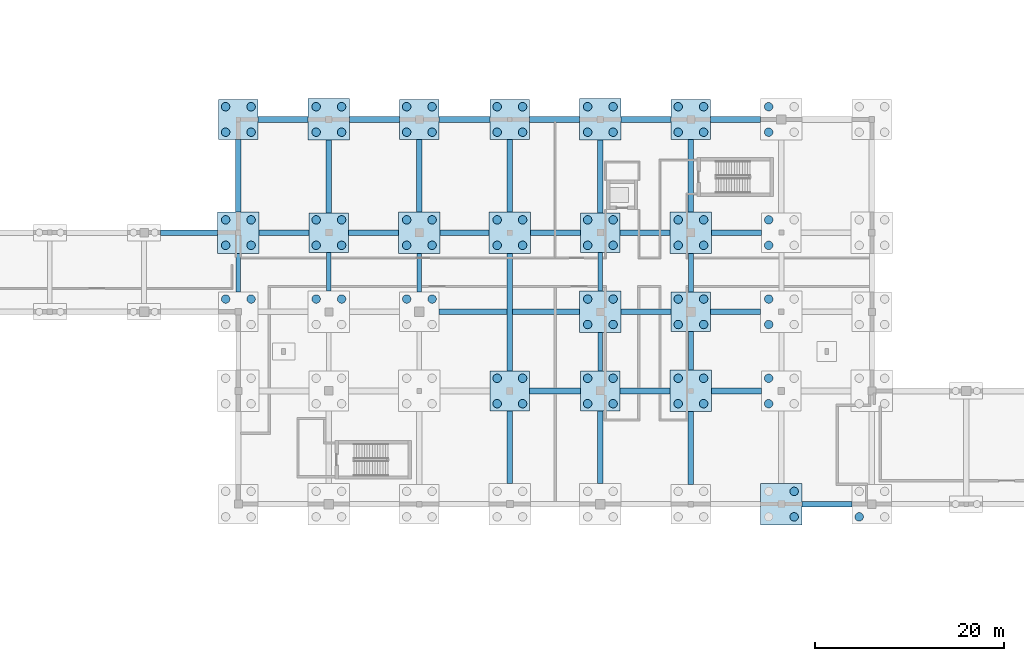
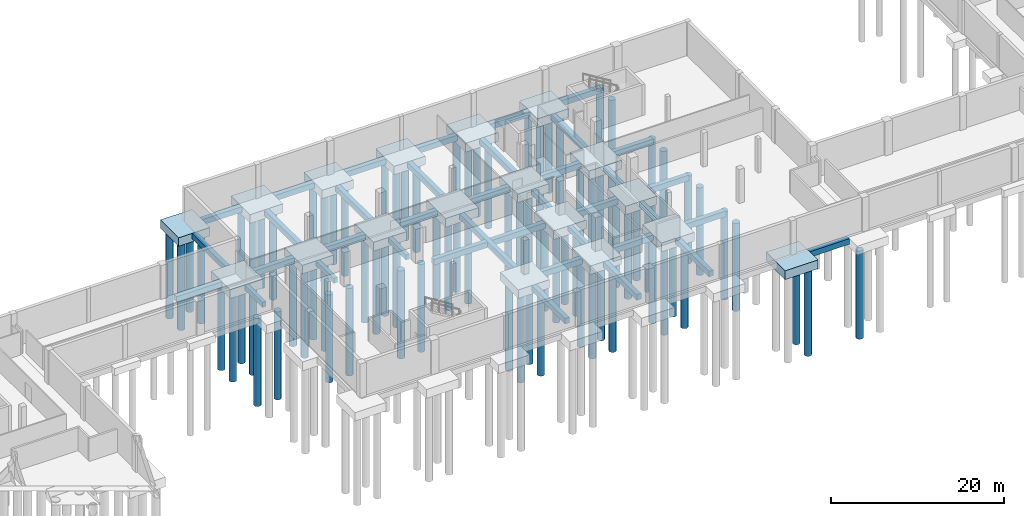
# One storey, part 3 of 28: 85 piles, 55 footings.
"""IFC4 building model written with IfcOpenShell, lengths in metres."""

from ifc_helpers import new_model, si_unit, direction, frame, origin, origin_2d, place, context, subcontext, project, spatial, rectangle, circle, extrude, material, layer, layer_set, material_profile, profile_set, type_object, element, save


model = new_model("IFC4")

# Units and contexts
model_context = context("Model", 3, precision=1e-05, world=origin(), true_north=direction((0.0, 1.0)))
body_context = subcontext(model_context, "Body", "Model", "MODEL_VIEW")
ifc_project = project(units=[si_unit("LENGTHUNIT", "METRE"), si_unit("AREAUNIT", "SQUARE_METRE"), si_unit("VOLUMEUNIT", "CUBIC_METRE"), si_unit("PLANEANGLEUNIT", "RADIAN"), si_unit("MASSUNIT", "GRAM", prefix="KILO")], contexts=[model_context])

# Site, building, storey
site_placement = place(None, origin())
site = spatial("IfcSite", under=ifc_project, at=site_placement, CompositionType="ELEMENT")
building_placement = place(site_placement, origin())
building = spatial("IfcBuilding", under=site, at=building_placement, Name="Zereglee Splitstone Museum", CompositionType="ELEMENT")
storey_placement = place(building_placement, frame((0.0, 0.0, -4.800048828125)))
storey = spatial("IfcBuildingStorey", under=building, at=storey_placement, Name="B1", CompositionType="ELEMENT", Elevation=-4.800048828125)

# Footings
ifc_material = material(Name="Concrete C40/50", Category="concrete")
footing_type_1 = type_object("IfcFootingType", Name="FB-03", PredefinedType="FOOTING_BEAM", material=ifc_material)
for number, where, z_axis, x_axis, name in (
    (1, (78.0, 34.14990234375, -1.14990234375), (0.0, 0.0, 1.0), (0.0, 1.0, 0.0), "Ground Tie Beam FBY-162"),
    (2, (87.60009765625, 34.25, -1.14990234375), (0.0, 0.0, 1.0), (0.0, 1.0, 0.0), "Ground Tie Beam FBY-166"),
    (3, (97.199951171875, 34.14990234375, -1.14990234375), (0.0, 0.0, 1.0), (0.0, 1.0, 0.0), "Ground Tie Beam FBY-170"),
    (4, (116.39990234375, 25.75, -1.14990234375), (0.0, 0.0, 1.0), (0.0, 1.0, 0.0), "Ground Tie Beam FBY-176"),
    (5, (116.39990234375, 34.25, -1.14990234375), (0.0, 0.0, 1.0), (0.0, 1.0, 0.0), "Ground Tie Beam FBY-177"),
    (6, (126.0, 25.85009765625, -1.14990234375), (0.0, 0.0, 1.0), (0.0, 1.0, 0.0), "Ground Tie Beam FBY-180"),
    (7, (126.0, 34.14990234375, -1.14990234375), (0.0, 0.0, 1.0), (0.0, 1.0, 0.0), "Ground Tie Beam FBY-181"),
):
    element("IfcFooting", number, at=place(storey_placement, frame(where, z_axis=z_axis, x_axis=x_axis)), inside=storey, type_object=footing_type_1, Name=name, PredefinedType="FOOTING_BEAM", context=body_context, shape_type="SweptSolid", body=[
        extrude(rectangle(XDim=4.10009765625, YDim=0.5, at=origin_2d()), origin(), (0.0, 0.0, 1.0), 0.699951171875),
    ])
footing_type_2 = type_object("IfcFootingType", Name="FB-02", PredefinedType="FOOTING_BEAM", material=ifc_material)
footing_1_placement = place(storey_placement, frame((140.449951171875, 9.60009765625, -1.25), z_axis=(0.0, 0.0, 1.0), x_axis=(1.0, 0.0, 0.0)))
element("IfcFooting", 8, at=footing_1_placement, inside=storey, type_object=footing_type_2, Name="Ground Tie Beam FBX-025", PredefinedType="FOOTING_BEAM", context=body_context, shape_type="SweptSolid", body=[
    extrude(rectangle(XDim=5.300048828125, YDim=0.60009765625, at=origin_2d()), origin(), (0.0, 0.0, 1.0), 0.800048828125),
])
footing_2_placement = place(storey_placement, frame((111.60009765625, 21.60009765625, -1.25), z_axis=(0.0, 0.0, 1.0), x_axis=(1.0, 0.0, 0.0)))
element("IfcFooting", 9, at=footing_2_placement, inside=storey, type_object=footing_type_2, Name="Ground Tie Beam FBX-043", PredefinedType="FOOTING_BEAM", context=body_context, shape_type="SweptSolid", body=[
    extrude(rectangle(XDim=5.39990234375, YDim=0.60009765625, at=origin_2d()), origin(), (0.0, 0.0, 1.0), 0.800048828125),
])
for number, where, z_axis, x_axis, name in (
    (10, (121.14990234375, 21.60009765625, -1.25), (0.0, 0.0, 1.0), (1.0, 0.0, 0.0), "Ground Tie Beam FBX-044"),
    (11, (130.85009765625, 21.60009765625, -1.25), (0.0, 0.0, 1.0), (1.0, 0.0, 0.0), "Ground Tie Beam FBX-045"),
):
    element("IfcFooting", number, at=place(storey_placement, frame(where, z_axis=z_axis, x_axis=x_axis)), inside=storey, type_object=footing_type_2, Name=name, PredefinedType="FOOTING_BEAM", context=body_context, shape_type="SweptSolid", body=[
        extrude(rectangle(XDim=5.300048828125, YDim=0.60009765625, at=origin_2d()), origin(), (0.0, 0.0, 1.0), 0.800048828125),
    ])
footing_3_placement = place(storey_placement, frame((106.75, 30.0, -1.25), z_axis=(0.0, 0.0, 1.0), x_axis=(1.0, 0.0, 0.0)))
element("IfcFooting", 12, at=footing_3_placement, inside=storey, type_object=footing_type_2, Name="Ground Tie Beam FBX-069", PredefinedType="FOOTING_BEAM", context=body_context, shape_type="SweptSolid", body=[
    extrude(rectangle(XDim=14.89990234375, YDim=0.60009765625, at=origin_2d()), origin(), (0.0, 0.0, 1.0), 0.800048828125),
])
for number, where, z_axis, x_axis, name in (
    (13, (121.25, 30.0, -1.25), (0.0, 0.0, 1.0), (1.0, 0.0, 0.0), "Ground Tie Beam FBX-070"),
    (14, (130.75, 30.0, -1.25), (0.0, 0.0, 1.0), (1.0, 0.0, 0.0), "Ground Tie Beam FBX-071"),
):
    element("IfcFooting", number, at=place(storey_placement, frame(where, z_axis=z_axis, x_axis=x_axis)), inside=storey, type_object=footing_type_2, Name=name, PredefinedType="FOOTING_BEAM", context=body_context, shape_type="SweptSolid", body=[
        extrude(rectangle(XDim=5.300048828125, YDim=0.60009765625, at=origin_2d()), origin(), (0.0, 0.0, 1.0), 0.800048828125),
    ])
footing_4_placement = place(storey_placement, frame((72.77490234375, 38.39990234375, -1.25), z_axis=(0.0, 0.0, 1.0), x_axis=(1.0, 0.0, 0.0)))
element("IfcFooting", 15, at=footing_4_placement, inside=storey, type_object=footing_type_2, Name="Ground Tie Beam FBX-095", PredefinedType="FOOTING_BEAM", context=body_context, shape_type="SweptSolid", body=[
    extrude(rectangle(XDim=6.050048828125, YDim=0.60009765625, at=origin_2d()), origin(), (0.0, 0.0, 1.0), 0.800048828125),
])
for number, where, z_axis, x_axis, name in (
    (16, (82.85009765625, 38.39990234375, -1.25), (0.0, 0.0, 1.0), (1.0, 0.0, 0.0), "Ground Tie Beam FBX-096"),
    (17, (92.35009765625, 38.39990234375, -1.25), (0.0, 0.0, 1.0), (1.0, 0.0, 0.0), "Ground Tie Beam FBX-097"),
):
    element("IfcFooting", number, at=place(storey_placement, frame(where, z_axis=z_axis, x_axis=x_axis)), inside=storey, type_object=footing_type_2, Name=name, PredefinedType="FOOTING_BEAM", context=body_context, shape_type="SweptSolid", body=[
        extrude(rectangle(XDim=5.300048828125, YDim=0.60009765625, at=origin_2d()), origin(), (0.0, 0.0, 1.0), 0.800048828125),
    ])
footing_5_placement = place(storey_placement, frame((102.0, 38.39990234375, -1.25), z_axis=(0.0, 0.0, 1.0), x_axis=(1.0, 0.0, 0.0)))
element("IfcFooting", 18, at=footing_5_placement, inside=storey, type_object=footing_type_2, Name="Ground Tie Beam FBX-098", PredefinedType="FOOTING_BEAM", context=body_context, shape_type="SweptSolid", body=[
    extrude(rectangle(XDim=5.199951171875, YDim=0.60009765625, at=origin_2d()), origin(), (0.0, 0.0, 1.0), 0.800048828125),
])
for number, where, z_axis, x_axis, name in (
    (19, (111.64990234375, 38.39990234375, -1.25), (0.0, 0.0, 1.0), (1.0, 0.0, 0.0), "Ground Tie Beam FBX-099"),
    (20, (121.14990234375, 38.39990234375, -1.25), (0.0, 0.0, 1.0), (1.0, 0.0, 0.0), "Ground Tie Beam FBX-100"),
    (21, (130.85009765625, 38.39990234375, -1.25), (0.0, 0.0, 1.0), (1.0, 0.0, 0.0), "Ground Tie Beam FBX-101"),
    (22, (82.75, 50.39990234375, -1.25), (0.0, 0.0, 1.0), (1.0, 0.0, 0.0), "Ground Tie Beam FBX-119"),
    (23, (92.449951171875, 50.39990234375, -1.25), (0.0, 0.0, 1.0), (1.0, 0.0, 0.0), "Ground Tie Beam FBX-120"),
):
    element("IfcFooting", number, at=place(storey_placement, frame(where, z_axis=z_axis, x_axis=x_axis)), inside=storey, type_object=footing_type_2, Name=name, PredefinedType="FOOTING_BEAM", context=body_context, shape_type="SweptSolid", body=[
        extrude(rectangle(XDim=5.300048828125, YDim=0.60009765625, at=origin_2d()), origin(), (0.0, 0.0, 1.0), 0.800048828125),
    ])
footing_6_placement = place(storey_placement, frame((102.0, 50.39990234375, -1.25), z_axis=(0.0, 0.0, 1.0), x_axis=(1.0, 0.0, 0.0)))
element("IfcFooting", 24, at=footing_6_placement, inside=storey, type_object=footing_type_2, Name="Ground Tie Beam FBX-121", PredefinedType="FOOTING_BEAM", context=body_context, shape_type="SweptSolid", body=[
    extrude(rectangle(XDim=5.39990234375, YDim=0.60009765625, at=origin_2d()), origin(), (0.0, 0.0, 1.0), 0.800048828125),
])
for number, where, z_axis, x_axis, name in (
    (25, (111.550048828125, 50.39990234375, -1.25), (0.0, 0.0, 1.0), (1.0, 0.0, 0.0), "Ground Tie Beam FBX-122"),
    (26, (121.25, 50.39990234375, -1.25), (0.0, 0.0, 1.0), (1.0, 0.0, 0.0), "Ground Tie Beam FBX-123"),
    (27, (130.75, 50.39990234375, -1.25), (0.0, 0.0, 1.0), (1.0, 0.0, 0.0), "Ground Tie Beam FBX-124"),
):
    element("IfcFooting", number, at=place(storey_placement, frame(where, z_axis=z_axis, x_axis=x_axis)), inside=storey, type_object=footing_type_2, Name=name, PredefinedType="FOOTING_BEAM", context=body_context, shape_type="SweptSolid", body=[
        extrude(rectangle(XDim=5.300048828125, YDim=0.60009765625, at=origin_2d()), origin(), (0.0, 0.0, 1.0), 0.800048828125),
    ])
for number, where, z_axis, x_axis, name in (
    (28, (78.0, 44.449951171875, -1.25), (0.0, 0.0, 1.0), (0.0, 1.0, 0.0), "Ground Tie Beam FBY-163"),
    (29, (87.60009765625, 44.35009765625, -1.25), (0.0, 0.0, 1.0), (0.0, 1.0, 0.0), "Ground Tie Beam FBY-167"),
    (30, (97.199951171875, 44.449951171875, -1.25), (0.0, 0.0, 1.0), (0.0, 1.0, 0.0), "Ground Tie Beam FBY-171"),
    (31, (106.800048828125, 15.64990234375, -1.25), (0.0, 0.0, 1.0), (0.0, 1.0, 0.0), "Ground Tie Beam FBY-172"),
):
    element("IfcFooting", number, at=place(storey_placement, frame(where, z_axis=z_axis, x_axis=x_axis)), inside=storey, type_object=footing_type_2, Name=name, PredefinedType="FOOTING_BEAM", context=body_context, shape_type="SweptSolid", body=[
        extrude(rectangle(XDim=7.699951171875, YDim=0.60009765625, at=origin_2d()), origin(), (0.0, 0.0, 1.0), 0.800048828125),
    ])
footing_7_placement = place(storey_placement, frame((106.800048828125, 29.949951171875, -1.25), z_axis=(0.0, 0.0, 1.0), x_axis=(0.0, 1.0, 0.0)))
element("IfcFooting", 32, at=footing_7_placement, inside=storey, type_object=footing_type_2, Name="Ground Tie Beam FBY-173", PredefinedType="FOOTING_BEAM", context=body_context, shape_type="SweptSolid", body=[
    extrude(rectangle(XDim=12.5, YDim=0.60009765625, at=origin_2d()), origin(), (0.0, 0.0, 1.0), 0.800048828125),
])
for number, where, z_axis, x_axis, name in (
    (33, (106.800048828125, 44.449951171875, -1.25), (0.0, 0.0, 1.0), (0.0, 1.0, 0.0), "Ground Tie Beam FBY-174"),
    (34, (116.39990234375, 15.64990234375, -1.25), (0.0, 0.0, 1.0), (0.0, 1.0, 0.0), "Ground Tie Beam FBY-175"),
    (35, (116.39990234375, 44.35009765625, -1.25), (0.0, 0.0, 1.0), (0.0, 1.0, 0.0), "Ground Tie Beam FBY-178"),
    (36, (126.0, 15.550048828125, -1.25), (0.0, 0.0, 1.0), (0.0, 1.0, 0.0), "Ground Tie Beam FBY-179"),
    (37, (126.0, 44.449951171875, -1.25), (0.0, 0.0, 1.0), (0.0, 1.0, 0.0), "Ground Tie Beam FBY-182"),
):
    element("IfcFooting", number, at=place(storey_placement, frame(where, z_axis=z_axis, x_axis=x_axis)), inside=storey, type_object=footing_type_2, Name=name, PredefinedType="FOOTING_BEAM", context=body_context, shape_type="SweptSolid", body=[
        extrude(rectangle(XDim=7.699951171875, YDim=0.60009765625, at=origin_2d()), origin(), (0.0, 0.0, 1.0), 0.800048828125),
    ])
ifc_layer_1 = layer(ifc_material, 1.199951171875)
ifc_layer_set_1 = layer_set([ifc_layer_1], Name="Concrete C40/50")
footing_type_3 = type_object("IfcFootingType", Name="PC-05", PredefinedType="PILE_CAP", material=ifc_layer_set_1)
for number, where, z_axis, x_axis, name in (
    (38, (78.0, 50.39990234375, -1.64990234375), (0.0, 0.0, 1.0), (1.0, 0.0, 0.0), "Pile Cap at (78.0, 50.4)"),
    (39, (87.60009765625, 38.39990234375, -1.64990234375), (0.0, 0.0, 1.0), (1.0, 0.0, 0.0), "Pile Cap at (87.6, 38.4)"),
    (40, (97.199951171875, 50.39990234375, -1.64990234375), (0.0, 0.0, 1.0), (1.0, 0.0, 0.0), "Pile Cap at (97.2, 50.4)"),
    (41, (106.800048828125, 21.60009765625, -1.64990234375), (0.0, 0.0, 1.0), (1.0, 0.0, 0.0), "Pile Cap at (106.8, 21.6)"),
    (42, (106.800048828125, 50.39990234375, -1.64990234375), (0.0, 0.0, 1.0), (1.0, 0.0, 0.0), "Pile Cap at (106.8, 50.4)"),
    (43, (116.39990234375, 21.60009765625, -1.64990234375), (0.0, 0.0, 1.0), (1.0, 0.0, 0.0), "Pile Cap at (116.4, 21.6)"),
    (44, (116.39990234375, 38.39990234375, -1.64990234375), (0.0, 0.0, 1.0), (1.0, 0.0, 0.0), "Pile Cap at (116.4, 38.4)"),
    (45, (126.0, 30.0, -1.64990234375), (0.0, 0.0, 1.0), (1.0, 0.0, 0.0), "Pile Cap at (126.0, 30.0)"),
    (46, (126.0, 50.39990234375, -1.64990234375), (0.0, 0.0, 1.0), (1.0, 0.0, 0.0), "Pile Cap at (126.0, 50.4)"),
):
    element("IfcFooting", number, at=place(storey_placement, frame(where, z_axis=z_axis, x_axis=x_axis)), inside=storey, type_object=footing_type_3, Name=name, PredefinedType="PILE_CAP", context=body_context, shape_type="SweptSolid", body=[
        extrude(rectangle(XDim=4.199951171875, YDim=4.199951171875, at=origin_2d()), origin(), (0.0, 0.0, 1.0), 1.199951171875),
    ])
ifc_layer_2 = layer(ifc_material, 1.25)
ifc_layer_set_2 = layer_set([ifc_layer_2], Name="Concrete C40/50")
footing_type_4 = type_object("IfcFootingType", Name="PC-04", PredefinedType="PILE_CAP", material=ifc_layer_set_2)
for number, where, z_axis, x_axis, name in (
    (47, (78.0, 38.39990234375, -1.699951171875), (0.0, 0.0, 1.0), (1.0, 0.0, 0.0), "Pile Cap at (78.0, 38.4)"),
    (48, (87.60009765625, 50.39990234375, -1.699951171875), (0.0, 0.0, 1.0), (1.0, 0.0, 0.0), "Pile Cap at (87.6, 50.4)"),
    (49, (97.199951171875, 38.39990234375, -1.699951171875), (0.0, 0.0, 1.0), (1.0, 0.0, 0.0), "Pile Cap at (97.2, 38.4)"),
    (50, (106.800048828125, 38.39990234375, -1.699951171875), (0.0, 0.0, 1.0), (1.0, 0.0, 0.0), "Pile Cap at (106.8, 38.4)"),
    (51, (116.39990234375, 30.0, -1.699951171875), (0.0, 0.0, 1.0), (1.0, 0.0, 0.0), "Pile Cap at (116.4, 30.0)"),
    (52, (116.39990234375, 50.39990234375, -1.699951171875), (0.0, 0.0, 1.0), (1.0, 0.0, 0.0), "Pile Cap at (116.4, 50.4)"),
    (53, (126.0, 21.60009765625, -1.699951171875), (0.0, 0.0, 1.0), (1.0, 0.0, 0.0), "Pile Cap at (126.0, 21.6)"),
    (54, (126.0, 38.39990234375, -1.699951171875), (0.0, 0.0, 1.0), (1.0, 0.0, 0.0), "Pile Cap at (126.0, 38.4)"),
    (55, (135.60009765625, 9.60009765625, -1.699951171875), (0.0, 0.0, 1.0), (1.0, 0.0, 0.0), "Pile Cap at (135.6, 9.6)"),
):
    element("IfcFooting", number, at=place(storey_placement, frame(where, z_axis=z_axis, x_axis=x_axis)), inside=storey, type_object=footing_type_4, Name=name, PredefinedType="PILE_CAP", context=body_context, shape_type="SweptSolid", body=[
        extrude(rectangle(XDim=4.39990234375, YDim=4.39990234375, at=origin_2d()), origin(), (0.0, 0.0, 1.0), 1.25),
    ])

# Piles
ifc_material_profile = material_profile(ifc_material, circle(Radius=0.449951171875, at=origin_2d()), Name="PILE D900")
ifc_profile_set = profile_set([ifc_material_profile], Name="Concrete C40/50")
pile_type = type_object("IfcPileType", Name="PL-D09", PredefinedType="BORED", material=ifc_profile_set)
for number, where, z_axis, x_axis, name in (
    (56, (76.64990234375, 31.35009765625, -1.550048828125), (0.0, 0.0, -1.0), (1.0, 0.0, 0.0), "Bored Pile 780-300-3"),
    (57, (79.35009765625, 31.35009765625, -1.550048828125), (0.0, 0.0, -1.0), (1.0, 0.0, 0.0), "Bored Pile 780-300-4"),
):
    element("IfcPile", number, at=place(storey_placement, frame(where, z_axis=z_axis, x_axis=x_axis)), inside=storey, type_object=pile_type, Name=name, PredefinedType="BORED", context=body_context, shape_type="SweptSolid", body=[
        extrude(circle(Radius=0.449951171875, at=origin_2d()), origin(), (0.0, 0.0, 1.0), 12.449951171875),
    ])
for number, where, z_axis, x_axis, name in (
    (58, (76.64990234375, 37.050048828125, -1.599853515625), (0.0, 0.0, -1.0), (1.0, 0.0, 0.0), "Bored Pile 780-384-1"),
    (59, (79.35009765625, 37.050048828125, -1.599853515625), (0.0, 0.0, -1.0), (1.0, 0.0, 0.0), "Bored Pile 780-384-2"),
    (60, (76.64990234375, 39.75, -1.599853515625), (0.0, 0.0, -1.0), (1.0, 0.0, 0.0), "Bored Pile 780-384-3"),
    (61, (79.35009765625, 39.75, -1.599853515625), (0.0, 0.0, -1.0), (1.0, 0.0, 0.0), "Bored Pile 780-384-4"),
):
    element("IfcPile", number, at=place(storey_placement, frame(where, z_axis=z_axis, x_axis=x_axis)), inside=storey, type_object=pile_type, Name=name, PredefinedType="BORED", context=body_context, shape_type="SweptSolid", body=[
        extrude(circle(Radius=0.449951171875, at=origin_2d()), origin(), (0.0, 0.0, 1.0), 12.39990234375),
    ])
for number, where, z_axis, x_axis, name in (
    (62, (76.64990234375, 49.050048828125, -1.550048828125), (0.0, 0.0, -1.0), (1.0, 0.0, 0.0), "Bored Pile 780-504-1"),
    (63, (79.35009765625, 49.050048828125, -1.550048828125), (0.0, 0.0, -1.0), (1.0, 0.0, 0.0), "Bored Pile 780-504-2"),
    (64, (76.64990234375, 51.75, -1.550048828125), (0.0, 0.0, -1.0), (1.0, 0.0, 0.0), "Bored Pile 780-504-3"),
    (65, (79.35009765625, 51.75, -1.550048828125), (0.0, 0.0, -1.0), (1.0, 0.0, 0.0), "Bored Pile 780-504-4"),
):
    element("IfcPile", number, at=place(storey_placement, frame(where, z_axis=z_axis, x_axis=x_axis)), inside=storey, type_object=pile_type, Name=name, PredefinedType="BORED", context=body_context, shape_type="SweptSolid", body=[
        extrude(circle(Radius=0.449951171875, at=origin_2d()), origin(), (0.0, 0.0, 1.0), 12.449951171875),
    ])
for number, where, z_axis, x_axis, name in (
    (66, (86.25, 31.35009765625, -1.599853515625), (0.0, 0.0, -1.0), (1.0, 0.0, 0.0), "Bored Pile 876-300-3"),
    (67, (88.949951171875, 31.35009765625, -1.599853515625), (0.0, 0.0, -1.0), (1.0, 0.0, 0.0), "Bored Pile 876-300-4"),
):
    element("IfcPile", number, at=place(storey_placement, frame(where, z_axis=z_axis, x_axis=x_axis)), inside=storey, type_object=pile_type, Name=name, PredefinedType="BORED", context=body_context, shape_type="SweptSolid", body=[
        extrude(circle(Radius=0.449951171875, at=origin_2d()), origin(), (0.0, 0.0, 1.0), 12.39990234375),
    ])
for number, where, z_axis, x_axis, name in (
    (68, (86.25, 37.050048828125, -1.550048828125), (0.0, 0.0, -1.0), (1.0, 0.0, 0.0), "Bored Pile 876-384-1"),
    (69, (88.949951171875, 37.050048828125, -1.550048828125), (0.0, 0.0, -1.0), (1.0, 0.0, 0.0), "Bored Pile 876-384-2"),
    (70, (86.25, 39.75, -1.550048828125), (0.0, 0.0, -1.0), (1.0, 0.0, 0.0), "Bored Pile 876-384-3"),
    (71, (88.949951171875, 39.75, -1.550048828125), (0.0, 0.0, -1.0), (1.0, 0.0, 0.0), "Bored Pile 876-384-4"),
):
    element("IfcPile", number, at=place(storey_placement, frame(where, z_axis=z_axis, x_axis=x_axis)), inside=storey, type_object=pile_type, Name=name, PredefinedType="BORED", context=body_context, shape_type="SweptSolid", body=[
        extrude(circle(Radius=0.449951171875, at=origin_2d()), origin(), (0.0, 0.0, 1.0), 12.449951171875),
    ])
for number, where, z_axis, x_axis, name in (
    (72, (86.25, 49.050048828125, -1.599853515625), (0.0, 0.0, -1.0), (1.0, 0.0, 0.0), "Bored Pile 876-504-1"),
    (73, (88.949951171875, 49.050048828125, -1.599853515625), (0.0, 0.0, -1.0), (1.0, 0.0, 0.0), "Bored Pile 876-504-2"),
    (74, (86.25, 51.75, -1.599853515625), (0.0, 0.0, -1.0), (1.0, 0.0, 0.0), "Bored Pile 876-504-3"),
    (75, (88.949951171875, 51.75, -1.599853515625), (0.0, 0.0, -1.0), (1.0, 0.0, 0.0), "Bored Pile 876-504-4"),
):
    element("IfcPile", number, at=place(storey_placement, frame(where, z_axis=z_axis, x_axis=x_axis)), inside=storey, type_object=pile_type, Name=name, PredefinedType="BORED", context=body_context, shape_type="SweptSolid", body=[
        extrude(circle(Radius=0.449951171875, at=origin_2d()), origin(), (0.0, 0.0, 1.0), 12.39990234375),
    ])
for number, where, z_axis, x_axis, name in (
    (76, (95.85009765625, 31.35009765625, -1.550048828125), (0.0, 0.0, -1.0), (1.0, 0.0, 0.0), "Bored Pile 972-300-3"),
    (77, (98.550048828125, 31.35009765625, -1.550048828125), (0.0, 0.0, -1.0), (1.0, 0.0, 0.0), "Bored Pile 972-300-4"),
):
    element("IfcPile", number, at=place(storey_placement, frame(where, z_axis=z_axis, x_axis=x_axis)), inside=storey, type_object=pile_type, Name=name, PredefinedType="BORED", context=body_context, shape_type="SweptSolid", body=[
        extrude(circle(Radius=0.449951171875, at=origin_2d()), origin(), (0.0, 0.0, 1.0), 12.449951171875),
    ])
for number, where, z_axis, x_axis, name in (
    (78, (95.85009765625, 37.050048828125, -1.599853515625), (0.0, 0.0, -1.0), (1.0, 0.0, 0.0), "Bored Pile 972-384-1"),
    (79, (98.550048828125, 37.050048828125, -1.599853515625), (0.0, 0.0, -1.0), (1.0, 0.0, 0.0), "Bored Pile 972-384-2"),
    (80, (95.85009765625, 39.75, -1.599853515625), (0.0, 0.0, -1.0), (1.0, 0.0, 0.0), "Bored Pile 972-384-3"),
    (81, (98.550048828125, 39.75, -1.599853515625), (0.0, 0.0, -1.0), (1.0, 0.0, 0.0), "Bored Pile 972-384-4"),
):
    element("IfcPile", number, at=place(storey_placement, frame(where, z_axis=z_axis, x_axis=x_axis)), inside=storey, type_object=pile_type, Name=name, PredefinedType="BORED", context=body_context, shape_type="SweptSolid", body=[
        extrude(circle(Radius=0.449951171875, at=origin_2d()), origin(), (0.0, 0.0, 1.0), 12.39990234375),
    ])
for number, where, z_axis, x_axis, name in (
    (82, (95.85009765625, 49.050048828125, -1.550048828125), (0.0, 0.0, -1.0), (1.0, 0.0, 0.0), "Bored Pile 972-504-1"),
    (83, (98.550048828125, 49.050048828125, -1.550048828125), (0.0, 0.0, -1.0), (1.0, 0.0, 0.0), "Bored Pile 972-504-2"),
    (84, (95.85009765625, 51.75, -1.550048828125), (0.0, 0.0, -1.0), (1.0, 0.0, 0.0), "Bored Pile 972-504-3"),
    (85, (98.550048828125, 51.75, -1.550048828125), (0.0, 0.0, -1.0), (1.0, 0.0, 0.0), "Bored Pile 972-504-4"),
    (86, (105.449951171875, 20.25, -1.550048828125), (0.0, 0.0, -1.0), (1.0, 0.0, 0.0), "Bored Pile 1068-216-1"),
    (87, (108.14990234375, 20.25, -1.550048828125), (0.0, 0.0, -1.0), (1.0, 0.0, 0.0), "Bored Pile 1068-216-2"),
    (88, (105.449951171875, 22.949951171875, -1.550048828125), (0.0, 0.0, -1.0), (1.0, 0.0, 0.0), "Bored Pile 1068-216-3"),
    (89, (108.14990234375, 22.949951171875, -1.550048828125), (0.0, 0.0, -1.0), (1.0, 0.0, 0.0), "Bored Pile 1068-216-4"),
):
    element("IfcPile", number, at=place(storey_placement, frame(where, z_axis=z_axis, x_axis=x_axis)), inside=storey, type_object=pile_type, Name=name, PredefinedType="BORED", context=body_context, shape_type="SweptSolid", body=[
        extrude(circle(Radius=0.449951171875, at=origin_2d()), origin(), (0.0, 0.0, 1.0), 12.449951171875),
    ])
for number, where, z_axis, x_axis, name in (
    (90, (105.449951171875, 37.050048828125, -1.599853515625), (0.0, 0.0, -1.0), (1.0, 0.0, 0.0), "Bored Pile 1068-384-1"),
    (91, (108.14990234375, 37.050048828125, -1.599853515625), (0.0, 0.0, -1.0), (1.0, 0.0, 0.0), "Bored Pile 1068-384-2"),
    (92, (105.449951171875, 39.75, -1.599853515625), (0.0, 0.0, -1.0), (1.0, 0.0, 0.0), "Bored Pile 1068-384-3"),
    (93, (108.14990234375, 39.75, -1.599853515625), (0.0, 0.0, -1.0), (1.0, 0.0, 0.0), "Bored Pile 1068-384-4"),
):
    element("IfcPile", number, at=place(storey_placement, frame(where, z_axis=z_axis, x_axis=x_axis)), inside=storey, type_object=pile_type, Name=name, PredefinedType="BORED", context=body_context, shape_type="SweptSolid", body=[
        extrude(circle(Radius=0.449951171875, at=origin_2d()), origin(), (0.0, 0.0, 1.0), 12.39990234375),
    ])
for number, where, z_axis, x_axis, name in (
    (94, (105.449951171875, 49.050048828125, -1.550048828125), (0.0, 0.0, -1.0), (1.0, 0.0, 0.0), "Bored Pile 1068-504-1"),
    (95, (108.14990234375, 49.050048828125, -1.550048828125), (0.0, 0.0, -1.0), (1.0, 0.0, 0.0), "Bored Pile 1068-504-2"),
    (96, (105.449951171875, 51.75, -1.550048828125), (0.0, 0.0, -1.0), (1.0, 0.0, 0.0), "Bored Pile 1068-504-3"),
    (97, (108.14990234375, 51.75, -1.550048828125), (0.0, 0.0, -1.0), (1.0, 0.0, 0.0), "Bored Pile 1068-504-4"),
    (98, (115.050048828125, 20.25, -1.550048828125), (0.0, 0.0, -1.0), (1.0, 0.0, 0.0), "Bored Pile 1164-216-1"),
    (99, (117.75, 20.25, -1.550048828125), (0.0, 0.0, -1.0), (1.0, 0.0, 0.0), "Bored Pile 1164-216-2"),
    (100, (115.050048828125, 22.949951171875, -1.550048828125), (0.0, 0.0, -1.0), (1.0, 0.0, 0.0), "Bored Pile 1164-216-3"),
    (101, (117.75, 22.949951171875, -1.550048828125), (0.0, 0.0, -1.0), (1.0, 0.0, 0.0), "Bored Pile 1164-216-4"),
):
    element("IfcPile", number, at=place(storey_placement, frame(where, z_axis=z_axis, x_axis=x_axis)), inside=storey, type_object=pile_type, Name=name, PredefinedType="BORED", context=body_context, shape_type="SweptSolid", body=[
        extrude(circle(Radius=0.449951171875, at=origin_2d()), origin(), (0.0, 0.0, 1.0), 12.449951171875),
    ])
for number, where, z_axis, x_axis, name in (
    (102, (115.050048828125, 28.64990234375, -1.599853515625), (0.0, 0.0, -1.0), (1.0, 0.0, 0.0), "Bored Pile 1164-300-1"),
    (103, (117.75, 28.64990234375, -1.599853515625), (0.0, 0.0, -1.0), (1.0, 0.0, 0.0), "Bored Pile 1164-300-2"),
    (104, (115.050048828125, 31.35009765625, -1.599853515625), (0.0, 0.0, -1.0), (1.0, 0.0, 0.0), "Bored Pile 1164-300-3"),
    (105, (117.75, 31.35009765625, -1.599853515625), (0.0, 0.0, -1.0), (1.0, 0.0, 0.0), "Bored Pile 1164-300-4"),
):
    element("IfcPile", number, at=place(storey_placement, frame(where, z_axis=z_axis, x_axis=x_axis)), inside=storey, type_object=pile_type, Name=name, PredefinedType="BORED", context=body_context, shape_type="SweptSolid", body=[
        extrude(circle(Radius=0.449951171875, at=origin_2d()), origin(), (0.0, 0.0, 1.0), 12.39990234375),
    ])
for number, where, z_axis, x_axis, name in (
    (106, (115.050048828125, 37.050048828125, -1.550048828125), (0.0, 0.0, -1.0), (1.0, 0.0, 0.0), "Bored Pile 1164-384-1"),
    (107, (117.75, 37.050048828125, -1.550048828125), (0.0, 0.0, -1.0), (1.0, 0.0, 0.0), "Bored Pile 1164-384-2"),
    (108, (115.050048828125, 39.75, -1.550048828125), (0.0, 0.0, -1.0), (1.0, 0.0, 0.0), "Bored Pile 1164-384-3"),
    (109, (117.75, 39.75, -1.550048828125), (0.0, 0.0, -1.0), (1.0, 0.0, 0.0), "Bored Pile 1164-384-4"),
):
    element("IfcPile", number, at=place(storey_placement, frame(where, z_axis=z_axis, x_axis=x_axis)), inside=storey, type_object=pile_type, Name=name, PredefinedType="BORED", context=body_context, shape_type="SweptSolid", body=[
        extrude(circle(Radius=0.449951171875, at=origin_2d()), origin(), (0.0, 0.0, 1.0), 12.449951171875),
    ])
for number, where, z_axis, x_axis, name in (
    (110, (115.050048828125, 49.050048828125, -1.599853515625), (0.0, 0.0, -1.0), (1.0, 0.0, 0.0), "Bored Pile 1164-504-1"),
    (111, (117.75, 49.050048828125, -1.599853515625), (0.0, 0.0, -1.0), (1.0, 0.0, 0.0), "Bored Pile 1164-504-2"),
    (112, (115.050048828125, 51.75, -1.599853515625), (0.0, 0.0, -1.0), (1.0, 0.0, 0.0), "Bored Pile 1164-504-3"),
    (113, (117.75, 51.75, -1.599853515625), (0.0, 0.0, -1.0), (1.0, 0.0, 0.0), "Bored Pile 1164-504-4"),
    (114, (124.64990234375, 20.25, -1.599853515625), (0.0, 0.0, -1.0), (1.0, 0.0, 0.0), "Bored Pile 1260-216-1"),
    (115, (127.35009765625, 20.25, -1.599853515625), (0.0, 0.0, -1.0), (1.0, 0.0, 0.0), "Bored Pile 1260-216-2"),
    (116, (124.64990234375, 22.949951171875, -1.599853515625), (0.0, 0.0, -1.0), (1.0, 0.0, 0.0), "Bored Pile 1260-216-3"),
    (117, (127.35009765625, 22.949951171875, -1.599853515625), (0.0, 0.0, -1.0), (1.0, 0.0, 0.0), "Bored Pile 1260-216-4"),
):
    element("IfcPile", number, at=place(storey_placement, frame(where, z_axis=z_axis, x_axis=x_axis)), inside=storey, type_object=pile_type, Name=name, PredefinedType="BORED", context=body_context, shape_type="SweptSolid", body=[
        extrude(circle(Radius=0.449951171875, at=origin_2d()), origin(), (0.0, 0.0, 1.0), 12.39990234375),
    ])
for number, where, z_axis, x_axis, name in (
    (118, (124.64990234375, 28.64990234375, -1.550048828125), (0.0, 0.0, -1.0), (1.0, 0.0, 0.0), "Bored Pile 1260-300-1"),
    (119, (127.35009765625, 28.64990234375, -1.550048828125), (0.0, 0.0, -1.0), (1.0, 0.0, 0.0), "Bored Pile 1260-300-2"),
    (120, (124.64990234375, 31.35009765625, -1.550048828125), (0.0, 0.0, -1.0), (1.0, 0.0, 0.0), "Bored Pile 1260-300-3"),
    (121, (127.35009765625, 31.35009765625, -1.550048828125), (0.0, 0.0, -1.0), (1.0, 0.0, 0.0), "Bored Pile 1260-300-4"),
):
    element("IfcPile", number, at=place(storey_placement, frame(where, z_axis=z_axis, x_axis=x_axis)), inside=storey, type_object=pile_type, Name=name, PredefinedType="BORED", context=body_context, shape_type="SweptSolid", body=[
        extrude(circle(Radius=0.449951171875, at=origin_2d()), origin(), (0.0, 0.0, 1.0), 12.449951171875),
    ])
for number, where, z_axis, x_axis, name in (
    (122, (124.64990234375, 37.050048828125, -1.599853515625), (0.0, 0.0, -1.0), (1.0, 0.0, 0.0), "Bored Pile 1260-384-1"),
    (123, (127.35009765625, 37.050048828125, -1.599853515625), (0.0, 0.0, -1.0), (1.0, 0.0, 0.0), "Bored Pile 1260-384-2"),
    (124, (124.64990234375, 39.75, -1.599853515625), (0.0, 0.0, -1.0), (1.0, 0.0, 0.0), "Bored Pile 1260-384-3"),
    (125, (127.35009765625, 39.75, -1.599853515625), (0.0, 0.0, -1.0), (1.0, 0.0, 0.0), "Bored Pile 1260-384-4"),
):
    element("IfcPile", number, at=place(storey_placement, frame(where, z_axis=z_axis, x_axis=x_axis)), inside=storey, type_object=pile_type, Name=name, PredefinedType="BORED", context=body_context, shape_type="SweptSolid", body=[
        extrude(circle(Radius=0.449951171875, at=origin_2d()), origin(), (0.0, 0.0, 1.0), 12.39990234375),
    ])
for number, where, z_axis, x_axis, name in (
    (126, (124.64990234375, 49.050048828125, -1.550048828125), (0.0, 0.0, -1.0), (1.0, 0.0, 0.0), "Bored Pile 1260-504-1"),
    (127, (127.35009765625, 49.050048828125, -1.550048828125), (0.0, 0.0, -1.0), (1.0, 0.0, 0.0), "Bored Pile 1260-504-2"),
    (128, (124.64990234375, 51.75, -1.550048828125), (0.0, 0.0, -1.0), (1.0, 0.0, 0.0), "Bored Pile 1260-504-3"),
    (129, (127.35009765625, 51.75, -1.550048828125), (0.0, 0.0, -1.0), (1.0, 0.0, 0.0), "Bored Pile 1260-504-4"),
):
    element("IfcPile", number, at=place(storey_placement, frame(where, z_axis=z_axis, x_axis=x_axis)), inside=storey, type_object=pile_type, Name=name, PredefinedType="BORED", context=body_context, shape_type="SweptSolid", body=[
        extrude(circle(Radius=0.449951171875, at=origin_2d()), origin(), (0.0, 0.0, 1.0), 12.449951171875),
    ])
for number, where, z_axis, x_axis, name in (
    (130, (136.949951171875, 8.25, -1.599853515625), (0.0, 0.0, -1.0), (1.0, 0.0, 0.0), "Bored Pile 1356-96-2"),
    (131, (136.949951171875, 10.949951171875, -1.599853515625), (0.0, 0.0, -1.0), (1.0, 0.0, 0.0), "Bored Pile 1356-96-4"),
):
    element("IfcPile", number, at=place(storey_placement, frame(where, z_axis=z_axis, x_axis=x_axis)), inside=storey, type_object=pile_type, Name=name, PredefinedType="BORED", context=body_context, shape_type="SweptSolid", body=[
        extrude(circle(Radius=0.449951171875, at=origin_2d()), origin(), (0.0, 0.0, 1.0), 12.39990234375),
    ])
for number, where, z_axis, x_axis, name in (
    (132, (134.25, 20.25, -1.550048828125), (0.0, 0.0, -1.0), (1.0, 0.0, 0.0), "Bored Pile 1356-216-1"),
    (133, (134.25, 22.949951171875, -1.550048828125), (0.0, 0.0, -1.0), (1.0, 0.0, 0.0), "Bored Pile 1356-216-3"),
):
    element("IfcPile", number, at=place(storey_placement, frame(where, z_axis=z_axis, x_axis=x_axis)), inside=storey, type_object=pile_type, Name=name, PredefinedType="BORED", context=body_context, shape_type="SweptSolid", body=[
        extrude(circle(Radius=0.449951171875, at=origin_2d()), origin(), (0.0, 0.0, 1.0), 12.449951171875),
    ])
for number, where, z_axis, x_axis, name in (
    (134, (134.25, 28.64990234375, -1.599853515625), (0.0, 0.0, -1.0), (1.0, 0.0, 0.0), "Bored Pile 1356-300-1"),
    (135, (134.25, 31.35009765625, -1.599853515625), (0.0, 0.0, -1.0), (1.0, 0.0, 0.0), "Bored Pile 1356-300-3"),
):
    element("IfcPile", number, at=place(storey_placement, frame(where, z_axis=z_axis, x_axis=x_axis)), inside=storey, type_object=pile_type, Name=name, PredefinedType="BORED", context=body_context, shape_type="SweptSolid", body=[
        extrude(circle(Radius=0.449951171875, at=origin_2d()), origin(), (0.0, 0.0, 1.0), 12.39990234375),
    ])
for number, where, z_axis, x_axis, name in (
    (136, (134.25, 37.050048828125, -1.550048828125), (0.0, 0.0, -1.0), (1.0, 0.0, 0.0), "Bored Pile 1356-384-1"),
    (137, (134.25, 39.75, -1.550048828125), (0.0, 0.0, -1.0), (1.0, 0.0, 0.0), "Bored Pile 1356-384-3"),
):
    element("IfcPile", number, at=place(storey_placement, frame(where, z_axis=z_axis, x_axis=x_axis)), inside=storey, type_object=pile_type, Name=name, PredefinedType="BORED", context=body_context, shape_type="SweptSolid", body=[
        extrude(circle(Radius=0.449951171875, at=origin_2d()), origin(), (0.0, 0.0, 1.0), 12.449951171875),
    ])
for number, where, z_axis, x_axis, name in (
    (138, (134.25, 49.050048828125, -1.599853515625), (0.0, 0.0, -1.0), (1.0, 0.0, 0.0), "Bored Pile 1356-504-1"),
    (139, (134.25, 51.75, -1.599853515625), (0.0, 0.0, -1.0), (1.0, 0.0, 0.0), "Bored Pile 1356-504-3"),
):
    element("IfcPile", number, at=place(storey_placement, frame(where, z_axis=z_axis, x_axis=x_axis)), inside=storey, type_object=pile_type, Name=name, PredefinedType="BORED", context=body_context, shape_type="SweptSolid", body=[
        extrude(circle(Radius=0.449951171875, at=origin_2d()), origin(), (0.0, 0.0, 1.0), 12.39990234375),
    ])
pile_placement = place(storey_placement, frame((143.85009765625, 8.25, -1.550048828125), z_axis=(0.0, 0.0, -1.0), x_axis=(1.0, 0.0, 0.0)))
element("IfcPile", 140, at=pile_placement, inside=storey, type_object=pile_type, Name="Bored Pile 1452-96-1", PredefinedType="BORED", context=body_context, shape_type="SweptSolid", body=[
    extrude(circle(Radius=0.449951171875, at=origin_2d()), origin(), (0.0, 0.0, 1.0), 12.449951171875),
])

save(model, "model.ifc")
